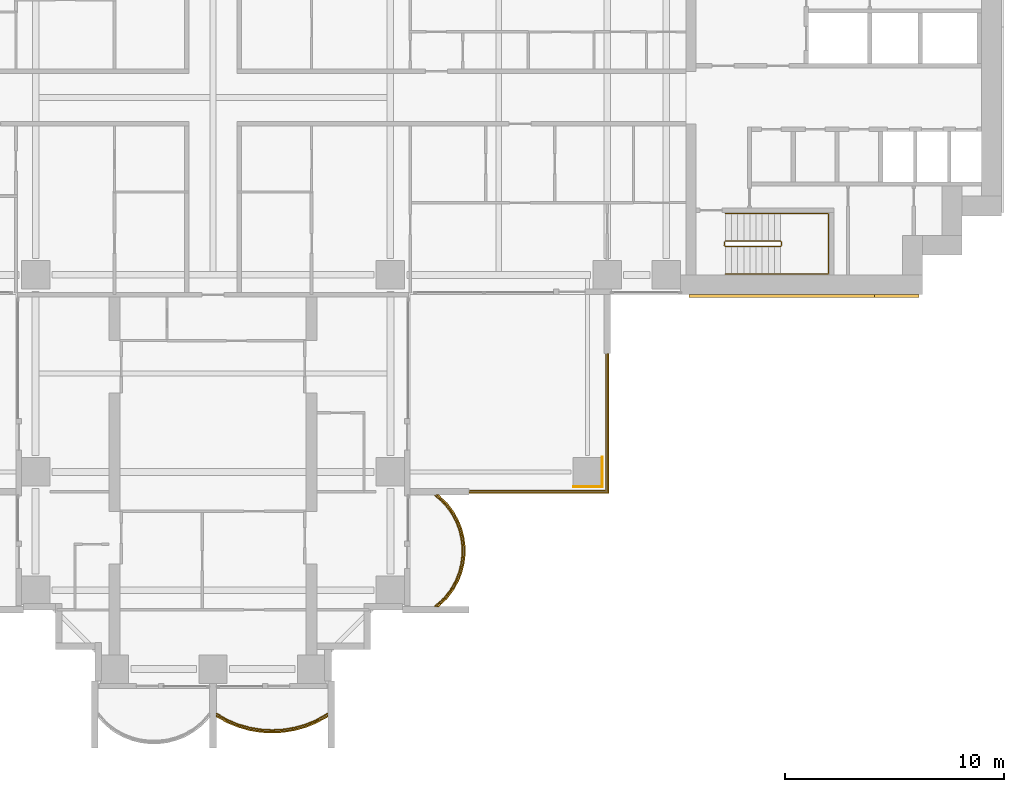
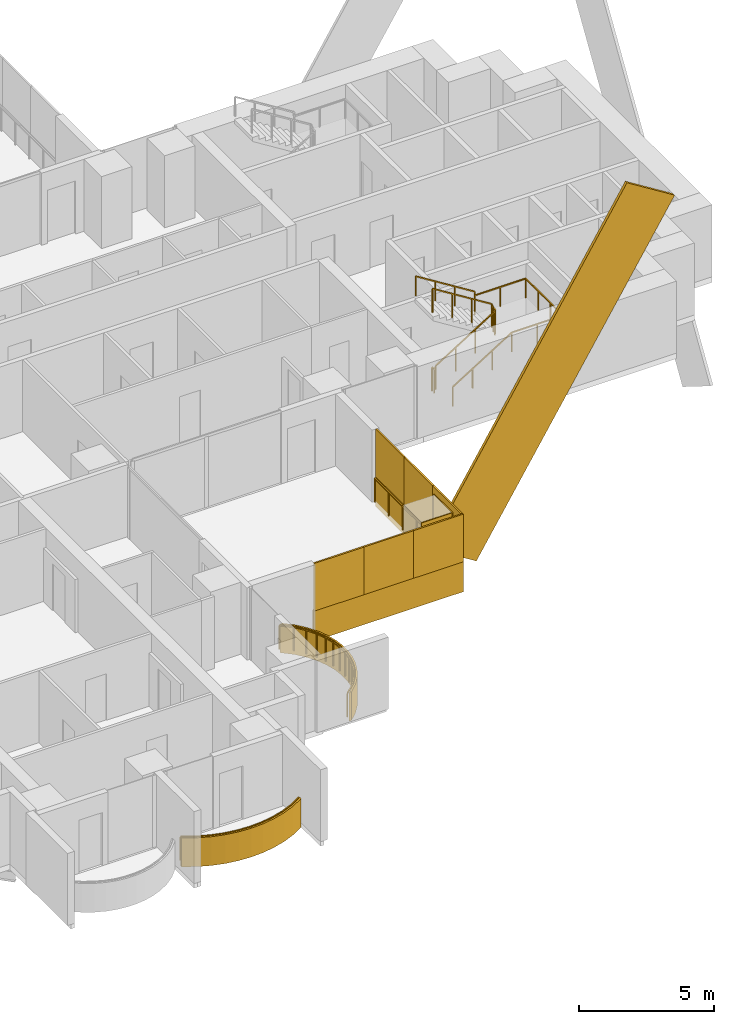
# One storey, part 20 of 23: 12 coverings, 5 railings.
"""IFC4 building model written with IfcOpenShell, lengths in metres."""

from ifc_helpers import new_model, si_unit, direction, frame, origin, origin_2d, place, context, subcontext, project, spatial, polyline, rectangle, outline, extrude, material, layer, layer_set, material_profile, profile_set, type_object, element, save


model = new_model("IFC4")

# Units and contexts
model_context = context("Model", 3, precision=1e-05, world=origin(), true_north=direction((0.0, 1.0)))
body_context = subcontext(model_context, "Body", "Model", "MODEL_VIEW")
ifc_project = project(units=[si_unit("LENGTHUNIT", "METRE"), si_unit("AREAUNIT", "SQUARE_METRE"), si_unit("VOLUMEUNIT", "CUBIC_METRE"), si_unit("PLANEANGLEUNIT", "RADIAN"), si_unit("MASSUNIT", "GRAM", prefix="KILO")], contexts=[model_context])

# Site, building, storey
site_placement = place(None, origin())
site = spatial("IfcSite", under=ifc_project, at=site_placement, CompositionType="ELEMENT")
building_placement = place(site_placement, origin())
building = spatial("IfcBuilding", under=site, at=building_placement, Name="Perihelion Cross Residences", CompositionType="ELEMENT")
storey_placement = place(building_placement, frame((0.0, 0.0, 36.5)))
storey = spatial("IfcBuildingStorey", under=building, at=storey_placement, Name="L05", CompositionType="ELEMENT", Elevation=36.5)

# Coverings
ifc_material_1 = material(Name="Bronze anodised aluminium", Category="aluminium")
ifc_layer_1 = layer(ifc_material_1, 0.070068359375)
ifc_layer_set_1 = layer_set([ifc_layer_1], Name="Balcony fascia 1300")
covering_type_1 = type_object("IfcCoveringType", Name="Balcony fascia 1300", PredefinedType="CLADDING", material=ifc_layer_set_1)
covering_1_placement = place(storey_placement, frame((0.0, 0.0, -0.199951171875)))
element("IfcCovering", 1, at=covering_1_placement, inside=storey, type_object=covering_type_1, Name="Fascia BF1 L05 south tip south bay 2", PredefinedType="CLADDING", context=body_context, shape_type="SweptSolid", body=[
    extrude(outline(polyline([(0.629638671875, -28.54833984375), (1.147216796875, -28.7607421875), (1.664794921875, -28.906494140625), (2.182373046875, -28.991943359375), (2.699951171875, -29.02001953125), (3.217529296875, -28.991943359375), (3.735107421875, -28.906494140625), (4.2529296875, -28.7607421875), (4.7705078125, -28.54833984375), (5.25, -28.2802734375), (5.25, -28.199951171875), (4.739990234375, -28.4853515625), (4.22998046875, -28.694580078125), (3.719970703125, -28.838134765625), (3.2099609375, -28.92236328125), (2.699951171875, -28.949951171875), (2.18994140625, -28.92236328125), (1.679931640625, -28.838134765625), (1.169921875, -28.694580078125), (0.659912109375, -28.4853515625), (0.14990234375, -28.199951171875), (0.14990234375, -28.2802734375), (0.629638671875, -28.54833984375)])), origin(), (0.0, 0.0, 1.0), 1.300048828125),
])
covering_2_placement = place(storey_placement, frame((0.0, 0.0, -0.199951171875)))
element("IfcCovering", 2, at=covering_2_placement, inside=storey, type_object=covering_type_1, Name="Fascia BF1 L05 south side east bay 1", PredefinedType="CLADDING", context=body_context, shape_type="SweptSolid", body=[
    extrude(outline(polyline([(10.674072265625, -22.90478515625), (10.982666015625, -22.50390625), (11.20654296875, -22.10302734375), (11.364013671875, -21.7021484375), (11.464599609375, -21.30126953125), (11.513916015625, -20.900390625), (11.513916015625, -20.49951171875), (11.464599609375, -20.0986328125), (11.364013671875, -19.69775390625), (11.20654296875, -19.296875), (10.982666015625, -18.89599609375), (10.674072265625, -18.4951171875), (10.302734375, -18.14990234375), (10.199951171875, -18.14990234375), (10.622314453125, -18.542236328125), (10.924072265625, -18.9345703125), (11.143310546875, -19.326904296875), (11.29736328125, -19.71923828125), (11.39599609375, -20.111572265625), (11.444091796875, -20.50390625), (11.444091796875, -20.896240234375), (11.39599609375, -21.28857421875), (11.29736328125, -21.6806640625), (11.143310546875, -22.072998046875), (10.924072265625, -22.46533203125), (10.622314453125, -22.857666015625), (10.199951171875, -23.25), (10.302734375, -23.25), (10.674072265625, -22.90478515625)])), origin(), (0.0, 0.0, 1.0), 1.300048828125),
])

# Railings
ifc_material_2 = material(Name="Bronze anodised aluminium", Category="aluminium")
railing_type_1 = type_object("IfcRailingType", Name="Balcony guard 1100", PredefinedType="GUARDRAIL", material=ifc_material_2)
railing_1_placement = place(storey_placement, frame((0.175048828125, -28.139892578125, 0.0)))
element("IfcRailing", 3, at=railing_1_placement, inside=storey, type_object=railing_type_1, Name="Guard GU1 L05 south tip south bay 2 balcony", PredefinedType="GUARDRAIL", context=body_context, shape_type="SweptSolid", body=[
    extrude(rectangle(XDim=0.048095703125, YDim=0.048095703125, at=origin_2d()), frame((0.0, 0.0, 1.076171875), z_axis=(0.861789164031, -0.507266632806, 0.0), x_axis=(0.507266632806, 0.861789164031, 0.0)), (0.0, 0.0, 1.0), 0.562744140625),
    extrude(rectangle(XDim=0.048095703125, YDim=0.048095703125, at=origin_2d()), frame((0.48486328125, -0.285400390625, 1.076171875), z_axis=(0.925172605972, -0.379546636342, 0.0), x_axis=(0.379546636342, 0.925172605972, 0.0)), (0.0, 0.0, 1.0), 0.55126953125),
    extrude(rectangle(XDim=0.048095703125, YDim=0.048095703125, at=origin_2d()), frame((0.994873046875, -0.49462890625, 1.076171875), z_axis=(0.962474364231, -0.271372618732, 0.0), x_axis=(0.271372618732, 0.962474364231, 0.0)), (0.0, 0.0, 1.0), 0.52978515625),
    extrude(rectangle(XDim=0.048095703125, YDim=0.048095703125, at=origin_2d()), frame((1.5048828125, -0.638427734375, 1.076171875), z_axis=(0.986711211531, -0.162483799314, 0.0), x_axis=(0.162483799314, 0.986711211531, 0.0)), (0.0, 0.0, 1.0), 0.516845703125),
    extrude(rectangle(XDim=0.048095703125, YDim=0.048095703125, at=origin_2d()), frame((2.014892578125, -0.722412109375, 1.076171875), z_axis=(0.998540183677, -0.05401390175, 0.0), x_axis=(0.05401390175, 0.998540183677, 0.0)), (0.0, 0.0, 1.0), 0.5107421875),
    extrude(rectangle(XDim=0.048095703125, YDim=0.048095703125, at=origin_2d()), frame((2.52490234375, -0.75, 1.076171875), z_axis=(0.998540183677, 0.05401390175, 0.0), x_axis=(-0.05401390175, 0.998540183677, 0.0)), (0.0, 0.0, 1.0), 0.5107421875),
    extrude(rectangle(XDim=0.048095703125, YDim=0.048095703125, at=origin_2d()), frame((3.034912109375, -0.722412109375, 1.076171875), z_axis=(0.986711211531, 0.162483799314, 0.0), x_axis=(-0.162483799314, 0.986711211531, 0.0)), (0.0, 0.0, 1.0), 0.516845703125),
    extrude(rectangle(XDim=0.048095703125, YDim=0.048095703125, at=origin_2d()), frame((3.544921875, -0.638427734375, 1.076171875), z_axis=(0.962474364231, 0.271372618732, 0.0), x_axis=(-0.271372618732, 0.962474364231, 0.0)), (0.0, 0.0, 1.0), 0.52978515625),
    extrude(rectangle(XDim=0.048095703125, YDim=0.048095703125, at=origin_2d()), frame((4.054931640625, -0.49462890625, 1.076171875), z_axis=(0.925172605972, 0.379546636342, 0.0), x_axis=(-0.379546636342, 0.925172605972, 0.0)), (0.0, 0.0, 1.0), 0.55126953125),
    extrude(rectangle(XDim=0.048095703125, YDim=0.048095703125, at=origin_2d()), frame((4.56494140625, -0.285400390625, 1.076171875), z_axis=(0.861900760591, 0.507076995033, 0.0), x_axis=(-0.507076995033, 0.861900760591, 0.0)), (0.0, 0.0, 1.0), 0.562744140625),
    extrude(rectangle(XDim=0.0419921875, YDim=0.0419921875, at=origin_2d()), origin(), (0.0, 0.0, 1.0), 1.052001953125),
    extrude(rectangle(XDim=0.0419921875, YDim=0.0419921875, at=origin_2d()), frame((0.48486328125, -0.285400390625, 0.0)), (0.0, 0.0, 1.0), 1.052001953125),
    extrude(rectangle(XDim=0.0419921875, YDim=0.0419921875, at=origin_2d()), frame((0.994873046875, -0.49462890625, 0.0)), (0.0, 0.0, 1.0), 1.052001953125),
    extrude(rectangle(XDim=0.0419921875, YDim=0.0419921875, at=origin_2d()), frame((1.5048828125, -0.638427734375, 0.0)), (0.0, 0.0, 1.0), 1.052001953125),
    extrude(rectangle(XDim=0.0419921875, YDim=0.0419921875, at=origin_2d()), frame((2.014892578125, -0.722412109375, 0.0)), (0.0, 0.0, 1.0), 1.052001953125),
    extrude(rectangle(XDim=0.0419921875, YDim=0.0419921875, at=origin_2d()), frame((2.52490234375, -0.75, 0.0)), (0.0, 0.0, 1.0), 1.052001953125),
    extrude(rectangle(XDim=0.0419921875, YDim=0.0419921875, at=origin_2d()), frame((3.034912109375, -0.722412109375, 0.0)), (0.0, 0.0, 1.0), 1.052001953125),
    extrude(rectangle(XDim=0.0419921875, YDim=0.0419921875, at=origin_2d()), frame((3.544921875, -0.638427734375, 0.0)), (0.0, 0.0, 1.0), 1.052001953125),
    extrude(rectangle(XDim=0.0419921875, YDim=0.0419921875, at=origin_2d()), frame((4.054931640625, -0.49462890625, 0.0)), (0.0, 0.0, 1.0), 1.052001953125),
    extrude(rectangle(XDim=0.0419921875, YDim=0.0419921875, at=origin_2d()), frame((4.56494140625, -0.285400390625, 0.0)), (0.0, 0.0, 1.0), 1.052001953125),
    extrude(rectangle(XDim=0.0419921875, YDim=0.0419921875, at=origin_2d()), frame((5.050048828125, 0.0, 0.0)), (0.0, 0.0, 1.0), 1.052001953125),
])
railing_2_placement = place(storey_placement, frame((10.139892578125, -23.22509765625, 0.0)))
element("IfcRailing", 4, at=railing_2_placement, inside=storey, type_object=railing_type_1, Name="Guard GU1 L05 south side east bay 1 balcony", PredefinedType="GUARDRAIL", context=body_context, shape_type="SweptSolid", body=[
    extrude(rectangle(XDim=0.048095703125, YDim=0.048095703125, at=origin_2d()), frame((0.0, 0.0, 1.076171875), z_axis=(0.754464673757, 0.656340655493, 0.0), x_axis=(-0.656340655493, 0.754464673757, 0.0)), (0.0, 0.0, 1.0), 0.559814453125),
    extrude(rectangle(XDim=0.048095703125, YDim=0.048095703125, at=origin_2d()), frame((0.42236328125, 0.367431640625, 1.076171875), z_axis=(0.60966308455, 0.792660660899, 0.0), x_axis=(-0.792660660899, 0.60966308455, 0.0)), (0.0, 0.0, 1.0), 0.494873046875),
    extrude(rectangle(XDim=0.048095703125, YDim=0.048095703125, at=origin_2d()), frame((0.72412109375, 0.759765625, 1.076171875), z_axis=(0.487809182674, 0.872950285698, 0.0), x_axis=(-0.872950285698, 0.487809182674, 0.0)), (0.0, 0.0, 1.0), 0.449462890625),
    extrude(rectangle(XDim=0.048095703125, YDim=0.048095703125, at=origin_2d()), frame((0.943359375, 1.152099609375, 1.076171875), z_axis=(0.365491079925, 0.930814842219, 0.0), x_axis=(-0.930814842219, 0.365491079925, 0.0)), (0.0, 0.0, 1.0), 0.42138671875),
    extrude(rectangle(XDim=0.048095703125, YDim=0.048095703125, at=origin_2d()), frame((1.097412109375, 1.54443359375, 1.076171875), z_axis=(0.243956193074, 0.969786252666, 0.0), x_axis=(-0.969786252666, 0.243956193074, 0.0)), (0.0, 0.0, 1.0), 0.404296875),
    extrude(rectangle(XDim=0.048095703125, YDim=0.048095703125, at=origin_2d()), frame((1.196044921875, 1.9365234375, 1.076171875), z_axis=(0.121677797999, 0.992569651699, 0.0), x_axis=(-0.992569651699, 0.121677797999, 0.0)), (0.0, 0.0, 1.0), 0.395263671875),
    extrude(rectangle(XDim=0.048095703125, YDim=0.048095703125, at=origin_2d()), frame((1.244140625, 2.328857421875, 1.076171875), z_axis=(0.0, 1.0, 0.0), x_axis=(-1.0, 0.0, 0.0)), (0.0, 0.0, 1.0), 0.392333984375),
    extrude(rectangle(XDim=0.048095703125, YDim=0.048095703125, at=origin_2d()), frame((1.244140625, 2.72119140625, 1.076171875), z_axis=(-0.121677797999, 0.992569651699, 0.0), x_axis=(-0.992569651699, -0.121677797999, 0.0)), (0.0, 0.0, 1.0), 0.395263671875),
    extrude(rectangle(XDim=0.048095703125, YDim=0.048095703125, at=origin_2d()), frame((1.196044921875, 3.113525390625, 1.076171875), z_axis=(-0.243813411509, 0.969822159145, 0.0), x_axis=(-0.969822159145, -0.243813411509, 0.0)), (0.0, 0.0, 1.0), 0.404541015625),
    extrude(rectangle(XDim=0.048095703125, YDim=0.048095703125, at=origin_2d()), frame((1.097412109375, 3.505859375, 1.076171875), z_axis=(-0.365491079925, 0.930814842219, 0.0), x_axis=(-0.930814842219, -0.365491079925, 0.0)), (0.0, 0.0, 1.0), 0.42138671875),
    extrude(rectangle(XDim=0.048095703125, YDim=0.048095703125, at=origin_2d()), frame((0.943359375, 3.898193359375, 1.076171875), z_axis=(-0.487809182674, 0.872950285698, 0.0), x_axis=(-0.872950285698, -0.487809182674, 0.0)), (0.0, 0.0, 1.0), 0.449462890625),
    extrude(rectangle(XDim=0.048095703125, YDim=0.048095703125, at=origin_2d()), frame((0.72412109375, 4.29052734375, 1.076171875), z_axis=(-0.60966308455, 0.792660660899, 0.0), x_axis=(-0.792660660899, -0.60966308455, 0.0)), (0.0, 0.0, 1.0), 0.494873046875),
    extrude(rectangle(XDim=0.048095703125, YDim=0.048095703125, at=origin_2d()), frame((0.42236328125, 4.682861328125, 1.076171875), z_axis=(-0.754680648599, 0.656092309534, 0.0), x_axis=(-0.656092309534, -0.754680648599, 0.0)), (0.0, 0.0, 1.0), 0.5595703125),
    extrude(rectangle(XDim=0.0419921875, YDim=0.0419921875, at=origin_2d()), origin(), (0.0, 0.0, 1.0), 1.052001953125),
    extrude(rectangle(XDim=0.0419921875, YDim=0.0419921875, at=origin_2d()), frame((0.42236328125, 0.367431640625, 0.0)), (0.0, 0.0, 1.0), 1.052001953125),
    extrude(rectangle(XDim=0.0419921875, YDim=0.0419921875, at=origin_2d()), frame((0.72412109375, 0.759765625, 0.0)), (0.0, 0.0, 1.0), 1.052001953125),
    extrude(rectangle(XDim=0.0419921875, YDim=0.0419921875, at=origin_2d()), frame((0.943359375, 1.152099609375, 0.0)), (0.0, 0.0, 1.0), 1.052001953125),
    extrude(rectangle(XDim=0.0419921875, YDim=0.0419921875, at=origin_2d()), frame((1.097412109375, 1.54443359375, 0.0)), (0.0, 0.0, 1.0), 1.052001953125),
    extrude(rectangle(XDim=0.0419921875, YDim=0.0419921875, at=origin_2d()), frame((1.196044921875, 1.9365234375, 0.0)), (0.0, 0.0, 1.0), 1.052001953125),
    extrude(rectangle(XDim=0.0419921875, YDim=0.0419921875, at=origin_2d()), frame((1.244140625, 2.328857421875, 0.0)), (0.0, 0.0, 1.0), 1.052001953125),
    extrude(rectangle(XDim=0.0419921875, YDim=0.0419921875, at=origin_2d()), frame((1.244140625, 2.72119140625, 0.0)), (0.0, 0.0, 1.0), 1.052001953125),
    extrude(rectangle(XDim=0.0419921875, YDim=0.0419921875, at=origin_2d()), frame((1.196044921875, 3.113525390625, 0.0)), (0.0, 0.0, 1.0), 1.052001953125),
    extrude(rectangle(XDim=0.0419921875, YDim=0.0419921875, at=origin_2d()), frame((1.097412109375, 3.505859375, 0.0)), (0.0, 0.0, 1.0), 1.052001953125),
    extrude(rectangle(XDim=0.0419921875, YDim=0.0419921875, at=origin_2d()), frame((0.943359375, 3.898193359375, 0.0)), (0.0, 0.0, 1.0), 1.052001953125),
    extrude(rectangle(XDim=0.0419921875, YDim=0.0419921875, at=origin_2d()), frame((0.72412109375, 4.29052734375, 0.0)), (0.0, 0.0, 1.0), 1.052001953125),
    extrude(rectangle(XDim=0.0419921875, YDim=0.0419921875, at=origin_2d()), frame((0.42236328125, 4.682861328125, 0.0)), (0.0, 0.0, 1.0), 1.052001953125),
    extrude(rectangle(XDim=0.0419921875, YDim=0.0419921875, at=origin_2d()), frame((0.0, 5.050048828125, 0.0)), (0.0, 0.0, 1.0), 1.052001953125),
])
railing_3_placement = place(storey_placement, frame((17.93994140625, -11.739990234375, 0.0)))
element("IfcRailing", 5, at=railing_3_placement, inside=storey, type_object=railing_type_1, Name="Guard GU1 L05 pocket south-east 1", PredefinedType="GUARDRAIL", context=body_context, shape_type="SweptSolid", body=[
    extrude(rectangle(XDim=0.048095703125, YDim=0.048095703125, at=origin_2d()), frame((0.0, 0.0, 1.076171875), z_axis=(0.0, -1.0, 0.0), x_axis=(1.0, 0.0, 0.0)), (0.0, 0.0, 1.0), 6.199951171875),
    extrude(rectangle(XDim=0.048095703125, YDim=0.048095703125, at=origin_2d()), frame((0.0, -6.199951171875, 1.076171875), z_axis=(-1.0, 0.0, 0.0), x_axis=(0.0, -1.0, 0.0)), (0.0, 0.0, 1.0), 6.199951171875),
    extrude(rectangle(XDim=0.0419921875, YDim=0.0419921875, at=origin_2d()), origin(), (0.0, 0.0, 1.0), 1.052001953125),
    extrude(rectangle(XDim=0.0419921875, YDim=0.0419921875, at=origin_2d()), frame((0.0, -1.033203125, 0.0)), (0.0, 0.0, 1.0), 1.052001953125),
    extrude(rectangle(XDim=0.0419921875, YDim=0.0419921875, at=origin_2d()), frame((0.0, -2.066650390625, 0.0)), (0.0, 0.0, 1.0), 1.052001953125),
    extrude(rectangle(XDim=0.0419921875, YDim=0.0419921875, at=origin_2d()), frame((0.0, -3.10009765625, 0.0)), (0.0, 0.0, 1.0), 1.052001953125),
    extrude(rectangle(XDim=0.0419921875, YDim=0.0419921875, at=origin_2d()), frame((0.0, -4.13330078125, 0.0)), (0.0, 0.0, 1.0), 1.052001953125),
    extrude(rectangle(XDim=0.0419921875, YDim=0.0419921875, at=origin_2d()), frame((0.0, -5.16650390625, 0.0)), (0.0, 0.0, 1.0), 1.052001953125),
    extrude(rectangle(XDim=0.0419921875, YDim=0.0419921875, at=origin_2d()), frame((0.0, -6.199951171875, 0.0)), (0.0, 0.0, 1.0), 1.052001953125),
    extrude(rectangle(XDim=0.0419921875, YDim=0.0419921875, at=origin_2d()), frame((-1.033203125, -6.199951171875, 0.0)), (0.0, 0.0, 1.0), 1.052001953125),
    extrude(rectangle(XDim=0.0419921875, YDim=0.0419921875, at=origin_2d()), frame((-2.066650390625, -6.199951171875, 0.0)), (0.0, 0.0, 1.0), 1.052001953125),
    extrude(rectangle(XDim=0.0419921875, YDim=0.0419921875, at=origin_2d()), frame((-3.10009765625, -6.199951171875, 0.0)), (0.0, 0.0, 1.0), 1.052001953125),
    extrude(rectangle(XDim=0.0419921875, YDim=0.0419921875, at=origin_2d()), frame((-4.13330078125, -6.199951171875, 0.0)), (0.0, 0.0, 1.0), 1.052001953125),
    extrude(rectangle(XDim=0.0419921875, YDim=0.0419921875, at=origin_2d()), frame((-5.16650390625, -6.199951171875, 0.0)), (0.0, 0.0, 1.0), 1.052001953125),
    extrude(rectangle(XDim=0.0419921875, YDim=0.0419921875, at=origin_2d()), frame((-6.199951171875, -6.199951171875, 0.0)), (0.0, 0.0, 1.0), 1.052001953125),
])

# Coverings
ifc_material_3 = material(Name="Bronze anodised aluminium", Category="aluminium")
ifc_material_profile = material_profile(ifc_material_3, rectangle(XDim=0.125, YDim=2.39990234375, at=origin_2d()), Name="Bronze cladding band 2400")
ifc_profile_set = profile_set([ifc_material_profile], Name="Bronze anodised aluminium")
covering_type_2 = type_object("IfcCoveringType", Name="Bronze cladding band 2400", PredefinedType="CLADDING", material=ifc_profile_set)
covering_3_placement = place(storey_placement, frame((22.767578125, -9.0625, -5.656005859375), z_axis=(0.529931619435, 0.0, 0.848040375644), x_axis=(0.0, 1.0, 0.0)))
element("IfcCovering", 6, at=covering_3_placement, inside=storey, type_object=covering_type_2, Name="Core cladding band, east core", PredefinedType="CLADDING", context=body_context, shape_type="SweptSolid", body=[
    extrude(rectangle(XDim=0.125, YDim=2.39990234375, at=origin_2d()), origin(), (0.0, 0.0, 1.0), 15.973388671875),
])
ifc_material_4 = material(Name="Bronze anodised aluminium", Category="aluminium")
ifc_layer_2 = layer(ifc_material_4, 0.0400390625)
ifc_layer_set_2 = layer_set([ifc_layer_2], Name="Bronze column casing 40")
covering_type_3 = type_object("IfcCoveringType", Name="Bronze column casing 40", PredefinedType="CLADDING", material=ifc_layer_set_2)
covering_4_placement = place(storey_placement, frame((17.77001953125, -17.10009765625, -0.25), z_axis=(0.0, 0.0, 1.0), x_axis=(1.0, 0.0, 0.0)))
element("IfcCovering", 7, at=covering_4_placement, inside=storey, type_object=covering_type_3, Name="Cladding CC1 L05 casing east-west no. 3", PredefinedType="CLADDING", context=body_context, shape_type="SweptSolid", body=[
    extrude(rectangle(XDim=0.0400390625, YDim=1.3798828125, at=origin_2d()), origin(), (0.0, 0.0, 1.0), 3.5),
])
covering_5_placement = place(storey_placement, frame((17.10009765625, -17.77001953125, -0.25), z_axis=(0.0, 0.0, 1.0), x_axis=(1.0, 0.0, 0.0)))
element("IfcCovering", 8, at=covering_5_placement, inside=storey, type_object=covering_type_3, Name="Cladding CC1 L05 casing north-south no. 3", PredefinedType="CLADDING", context=body_context, shape_type="SweptSolid", body=[
    extrude(rectangle(XDim=1.300048828125, YDim=0.0400390625, at=origin_2d()), origin(), (0.0, 0.0, 1.0), 3.5),
])
ifc_material_5 = material(Name="Bronze anodised aluminium", Category="aluminium")
ifc_layer_3 = layer(ifc_material_5, 0.070068359375)
ifc_layer_set_3 = layer_set([ifc_layer_3], Name="Pocket fascia 1350")
covering_type_4 = type_object("IfcCoveringType", Name="Pocket fascia 1350", PredefinedType="CLADDING", material=ifc_layer_set_3)
covering_6_placement = place(storey_placement, frame((0.0, 0.0, -0.25)))
element("IfcCovering", 9, at=covering_6_placement, inside=storey, type_object=covering_type_4, Name="Fascia BF2 L05 pocket south-east 3", PredefinedType="CLADDING", context=body_context, shape_type="SweptSolid", body=[
    extrude(outline(polyline([(18.070068359375, -18.070068359375), (18.070068359375, -11.699951171875), (18.0, -11.699951171875), (18.0, -18.0), (11.699951171875, -18.0), (11.699951171875, -18.070068359375), (18.070068359375, -18.070068359375)])), origin(), (0.0, 0.0, 1.0), 1.35009765625),
])
ifc_material_6 = material(Name="Bronze perforated aluminium", Category="aluminium")
ifc_layer_4 = layer(ifc_material_6, 0.070068359375)
ifc_layer_set_4 = layer_set([ifc_layer_4], Name="Pocket solar screen, bronze perforated")
covering_type_5 = type_object("IfcCoveringType", Name="Pocket solar screen, bronze perforated", PredefinedType="CLADDING", material=ifc_layer_set_4)
covering_7_placement = place(storey_placement, frame((0.0, 0.0, 1.10009765625)))
element("IfcCovering", 10, at=covering_7_placement, inside=storey, type_object=covering_type_5, Name="Solar screen PS1 L05 pocket south-east no. 1", PredefinedType="CLADDING", context=body_context, shape_type="SweptSolid", body=[
    extrude(outline(polyline([(18.070068359375, -18.0), (18.070068359375, -15.89990234375), (18.0, -15.89990234375), (18.0, -18.0), (18.070068359375, -18.0)])), origin(), (0.0, 0.0, 1.0), 2.14990234375),
])
covering_8_placement = place(storey_placement, frame((0.0, 0.0, 1.10009765625)))
element("IfcCovering", 11, at=covering_8_placement, inside=storey, type_object=covering_type_5, Name="Solar screen PS1 L05 pocket south-east no. 2", PredefinedType="CLADDING", context=body_context, shape_type="SweptSolid", body=[
    extrude(outline(polyline([(18.070068359375, -15.89990234375), (18.070068359375, -13.800048828125), (18.0, -13.800048828125), (18.0, -15.89990234375), (18.070068359375, -15.89990234375)])), origin(), (0.0, 0.0, 1.0), 2.14990234375),
])
covering_9_placement = place(storey_placement, frame((0.0, 0.0, 1.10009765625)))
element("IfcCovering", 12, at=covering_9_placement, inside=storey, type_object=covering_type_5, Name="Solar screen PS1 L05 pocket south-east no. 3", PredefinedType="CLADDING", context=body_context, shape_type="SweptSolid", body=[
    extrude(outline(polyline([(18.070068359375, -13.800048828125), (18.070068359375, -11.699951171875), (18.0, -11.699951171875), (18.0, -13.800048828125), (18.070068359375, -13.800048828125)])), origin(), (0.0, 0.0, 1.0), 2.14990234375),
])
covering_10_placement = place(storey_placement, frame((0.0, 0.0, 1.10009765625)))
element("IfcCovering", 13, at=covering_10_placement, inside=storey, type_object=covering_type_5, Name="Solar screen PS1 L05 pocket south-east no. 4", PredefinedType="CLADDING", context=body_context, shape_type="SweptSolid", body=[
    extrude(outline(polyline([(13.8232421875, -18.070068359375), (13.8232421875, -18.0), (11.699951171875, -18.0), (11.699951171875, -18.070068359375), (13.8232421875, -18.070068359375)])), origin(), (0.0, 0.0, 1.0), 2.14990234375),
])
covering_11_placement = place(storey_placement, frame((0.0, 0.0, 1.10009765625)))
element("IfcCovering", 14, at=covering_11_placement, inside=storey, type_object=covering_type_5, Name="Solar screen PS1 L05 pocket south-east no. 5", PredefinedType="CLADDING", context=body_context, shape_type="SweptSolid", body=[
    extrude(outline(polyline([(15.94677734375, -18.070068359375), (15.94677734375, -18.0), (13.8232421875, -18.0), (13.8232421875, -18.070068359375), (15.94677734375, -18.070068359375)])), origin(), (0.0, 0.0, 1.0), 2.14990234375),
])
covering_12_placement = place(storey_placement, frame((0.0, 0.0, 1.10009765625)))
element("IfcCovering", 15, at=covering_12_placement, inside=storey, type_object=covering_type_5, Name="Solar screen PS1 L05 pocket south-east no. 6", PredefinedType="CLADDING", context=body_context, shape_type="SweptSolid", body=[
    extrude(outline(polyline([(18.070068359375, -18.070068359375), (18.070068359375, -18.0), (15.94677734375, -18.0), (15.94677734375, -18.070068359375), (18.070068359375, -18.070068359375)])), origin(), (0.0, 0.0, 1.0), 2.14990234375),
])

# Railings
ifc_material_7 = material(Name="Stainless steel", Category="steel")
railing_type_2 = type_object("IfcRailingType", Name="Stair guard 1100", PredefinedType="GUARDRAIL", material=ifc_material_7)
railing_4_placement = place(storey_placement, frame((23.35009765625, -6.60009765625, 0.0)))
element("IfcRailing", 16, at=railing_4_placement, inside=storey, type_object=railing_type_2, Name="L05 ST-E2 stair guard 1", PredefinedType="GUARDRAIL", context=body_context, shape_type="SweptSolid", body=[
    extrude(rectangle(XDim=0.048095703125, YDim=0.048095703125, at=origin_2d()), frame((0.0, 0.0, 1.076171875), z_axis=(0.0, -1.0, 0.0), x_axis=(1.0, 0.0, 0.0)), (0.0, 0.0, 1.0), 0.14990234375),
    extrude(rectangle(XDim=0.048095703125, YDim=0.048095703125, at=origin_2d()), frame((0.0, -0.14990234375, 1.076171875), z_axis=(0.263862480399, -0.265155923931, 0.927399011991), x_axis=(0.708833529934, 0.705375805398, 0.0)), (0.0, 0.0, 1.0), 0.188720703125),
    extrude(rectangle(XDim=0.048095703125, YDim=0.048095703125, at=origin_2d()), frame((0.0498046875, -0.199951171875, 1.2509765625), z_axis=(0.848007534815, 0.0, 0.529984170421), x_axis=(0.0, 1.0, 0.0)), (0.0, 0.0, 1.0), 2.9716796875),
    extrude(rectangle(XDim=0.048095703125, YDim=0.048095703125, at=origin_2d()), frame((2.56982421875, -0.199951171875, 2.826171875), z_axis=(0.707106781187, 0.707106781187, 0.0), x_axis=(-0.707106781187, 0.707106781187, 0.0)), (0.0, 0.0, 1.0), 0.07080078125),
    extrude(rectangle(XDim=0.048095703125, YDim=0.048095703125, at=origin_2d()), frame((2.619873046875, -0.14990234375, 2.826171875), z_axis=(0.0, 1.0, 0.0), x_axis=(-1.0, 0.0, 0.0)), (0.0, 0.0, 1.0), 0.14990234375),
    extrude(rectangle(XDim=0.048095703125, YDim=0.048095703125, at=origin_2d()), frame((2.619873046875, 0.0, 2.826171875), z_axis=(-0.265065253269, 0.265065253269, 0.927081885822), x_axis=(-0.707106781187, -0.707106781187, 0.0)), (0.0, 0.0, 1.0), 0.188720703125),
    extrude(rectangle(XDim=0.048095703125, YDim=0.048095703125, at=origin_2d()), frame((2.56982421875, 0.050048828125, 3.0009765625), z_axis=(-0.848007534815, 0.0, 0.529984170421), x_axis=(0.0, -1.0, 0.0)), (0.0, 0.0, 1.0), 2.9716796875),
    extrude(rectangle(XDim=0.0419921875, YDim=0.0419921875, at=origin_2d()), origin(), (0.0, 0.0, 1.0), 1.052001953125),
    extrude(rectangle(XDim=0.0419921875, YDim=0.0419921875, at=origin_2d()), frame((0.0, -0.14990234375, 0.0)), (0.0, 0.0, 1.0), 1.052001953125),
    extrude(rectangle(XDim=0.0419921875, YDim=0.0419921875, at=origin_2d()), frame((0.0498046875, -0.199951171875, 0.175048828125)), (0.0, 0.0, 1.0), 1.052001953125),
    extrude(rectangle(XDim=0.0419921875, YDim=0.0419921875, at=origin_2d()), frame((0.889892578125, -0.199951171875, 0.699951171875)), (0.0, 0.0, 1.0), 1.052001953125),
    extrude(rectangle(XDim=0.0419921875, YDim=0.0419921875, at=origin_2d()), frame((1.729736328125, -0.199951171875, 1.22509765625)), (0.0, 0.0, 1.0), 1.052001953125),
    extrude(rectangle(XDim=0.0419921875, YDim=0.0419921875, at=origin_2d()), frame((2.56982421875, -0.199951171875, 1.75)), (0.0, 0.0, 1.0), 1.052001953125),
    extrude(rectangle(XDim=0.0419921875, YDim=0.0419921875, at=origin_2d()), frame((2.619873046875, -0.14990234375, 1.75)), (0.0, 0.0, 1.0), 1.052001953125),
    extrude(rectangle(XDim=0.0419921875, YDim=0.0419921875, at=origin_2d()), frame((2.619873046875, 0.0, 1.75)), (0.0, 0.0, 1.0), 1.052001953125),
    extrude(rectangle(XDim=0.0419921875, YDim=0.0419921875, at=origin_2d()), frame((2.56982421875, 0.050048828125, 1.925048828125)), (0.0, 0.0, 1.0), 1.052001953125),
    extrude(rectangle(XDim=0.0419921875, YDim=0.0419921875, at=origin_2d()), frame((1.729736328125, 0.050048828125, 2.449951171875)), (0.0, 0.0, 1.0), 1.052001953125),
    extrude(rectangle(XDim=0.0419921875, YDim=0.0419921875, at=origin_2d()), frame((0.889892578125, 0.050048828125, 2.97509765625)), (0.0, 0.0, 1.0), 1.052001953125),
    extrude(rectangle(XDim=0.0419921875, YDim=0.0419921875, at=origin_2d()), frame((0.0498046875, 0.050048828125, 3.5)), (0.0, 0.0, 1.0), 1.052001953125),
])
ifc_material_8 = material(Name="Stainless steel", Category="steel")
railing_type_3 = type_object("IfcRailingType", Name="Stair handrail 900", PredefinedType="HANDRAIL", material=ifc_material_8)
railing_5_placement = place(storey_placement, frame((23.39990234375, -8.050048828125, 0.175048828125)))
element("IfcRailing", 17, at=railing_5_placement, inside=storey, type_object=railing_type_3, Name="L05 ST-E2 stair handrail 1", PredefinedType="HANDRAIL", context=body_context, shape_type="SweptSolid", body=[
    extrude(rectangle(XDim=0.048095703125, YDim=0.048095703125, at=origin_2d()), frame((0.0, 0.0, 0.8759765625), z_axis=(0.848007534815, 0.0, 0.529984170421), x_axis=(0.0, 1.0, 0.0)), (0.0, 0.0, 1.0), 2.9716796875),
    extrude(rectangle(XDim=0.048095703125, YDim=0.048095703125, at=origin_2d()), frame((2.52001953125, 0.0, 2.45068359375), z_axis=(1.0, 0.0, 0.0), x_axis=(0.0, 1.0, 0.0)), (0.0, 0.0, 1.0), 2.18017578125),
    extrude(rectangle(XDim=0.048095703125, YDim=0.048095703125, at=origin_2d()), frame((4.7001953125, 0.0, 2.45068359375), z_axis=(0.0, 1.0, 0.0), x_axis=(-1.0, 0.0, 0.0)), (0.0, 0.0, 1.0), 2.75),
    extrude(rectangle(XDim=0.048095703125, YDim=0.048095703125, at=origin_2d()), frame((4.7001953125, 2.75, 2.45068359375), z_axis=(-1.0, 0.0, 0.0), x_axis=(0.0, -1.0, 0.0)), (0.0, 0.0, 1.0), 2.18017578125),
    extrude(rectangle(XDim=0.048095703125, YDim=0.048095703125, at=origin_2d()), frame((2.52001953125, 2.75, 2.45068359375), z_axis=(0.0, 0.0, 1.0), x_axis=(1.0, 0.0, 0.0)), (0.0, 0.0, 1.0), 0.175048828125),
    extrude(rectangle(XDim=0.048095703125, YDim=0.048095703125, at=origin_2d()), frame((2.52001953125, 2.75, 2.6259765625), z_axis=(-0.848007534815, 0.0, 0.529984170421), x_axis=(0.0, -1.0, 0.0)), (0.0, 0.0, 1.0), 2.9716796875),
    extrude(rectangle(XDim=0.0419921875, YDim=0.0419921875, at=origin_2d()), origin(), (0.0, 0.0, 1.0), 0.851806640625),
    extrude(rectangle(XDim=0.0419921875, YDim=0.0419921875, at=origin_2d()), frame((0.840087890625, 0.0, 0.52490234375)), (0.0, 0.0, 1.0), 0.851806640625),
    extrude(rectangle(XDim=0.0419921875, YDim=0.0419921875, at=origin_2d()), frame((1.679931640625, 0.0, 1.050048828125)), (0.0, 0.0, 1.0), 0.851806640625),
    extrude(rectangle(XDim=0.0419921875, YDim=0.0419921875, at=origin_2d()), frame((2.52001953125, 0.0, 1.574951171875)), (0.0, 0.0, 1.0), 0.851806640625),
    extrude(rectangle(XDim=0.0419921875, YDim=0.0419921875, at=origin_2d()), frame((3.610107421875, 0.0, 1.574951171875)), (0.0, 0.0, 1.0), 0.851806640625),
    extrude(rectangle(XDim=0.0419921875, YDim=0.0419921875, at=origin_2d()), frame((4.7001953125, 0.0, 1.574951171875)), (0.0, 0.0, 1.0), 0.851806640625),
    extrude(rectangle(XDim=0.0419921875, YDim=0.0419921875, at=origin_2d()), frame((4.7001953125, 0.916748046875, 1.574951171875)), (0.0, 0.0, 1.0), 0.851806640625),
    extrude(rectangle(XDim=0.0419921875, YDim=0.0419921875, at=origin_2d()), frame((4.7001953125, 1.833251953125, 1.574951171875)), (0.0, 0.0, 1.0), 0.851806640625),
    extrude(rectangle(XDim=0.0419921875, YDim=0.0419921875, at=origin_2d()), frame((4.7001953125, 2.75, 1.574951171875)), (0.0, 0.0, 1.0), 0.851806640625),
    extrude(rectangle(XDim=0.0419921875, YDim=0.0419921875, at=origin_2d()), frame((3.610107421875, 2.75, 1.574951171875)), (0.0, 0.0, 1.0), 0.851806640625),
    extrude(rectangle(XDim=0.0419921875, YDim=0.0419921875, at=origin_2d()), frame((2.52001953125, 2.75, 1.574951171875)), (0.0, 0.0, 1.0), 0.851806640625),
    extrude(rectangle(XDim=0.0419921875, YDim=0.0419921875, at=origin_2d()), frame((2.52001953125, 2.75, 1.75)), (0.0, 0.0, 1.0), 0.851806640625),
    extrude(rectangle(XDim=0.0419921875, YDim=0.0419921875, at=origin_2d()), frame((1.679931640625, 2.75, 2.27490234375)), (0.0, 0.0, 1.0), 0.851806640625),
    extrude(rectangle(XDim=0.0419921875, YDim=0.0419921875, at=origin_2d()), frame((0.840087890625, 2.75, 2.800048828125)), (0.0, 0.0, 1.0), 0.851806640625),
    extrude(rectangle(XDim=0.0419921875, YDim=0.0419921875, at=origin_2d()), frame((0.0, 2.75, 3.324951171875)), (0.0, 0.0, 1.0), 0.851806640625),
])

save(model, "model.ifc")
